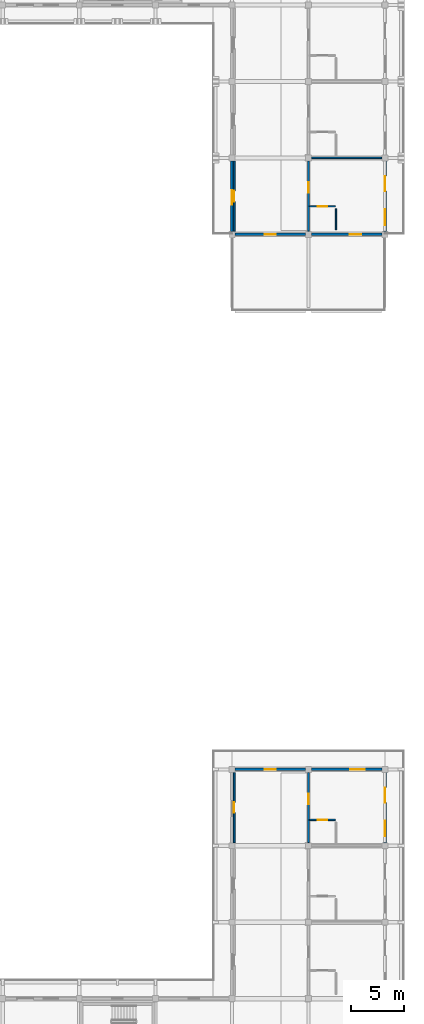
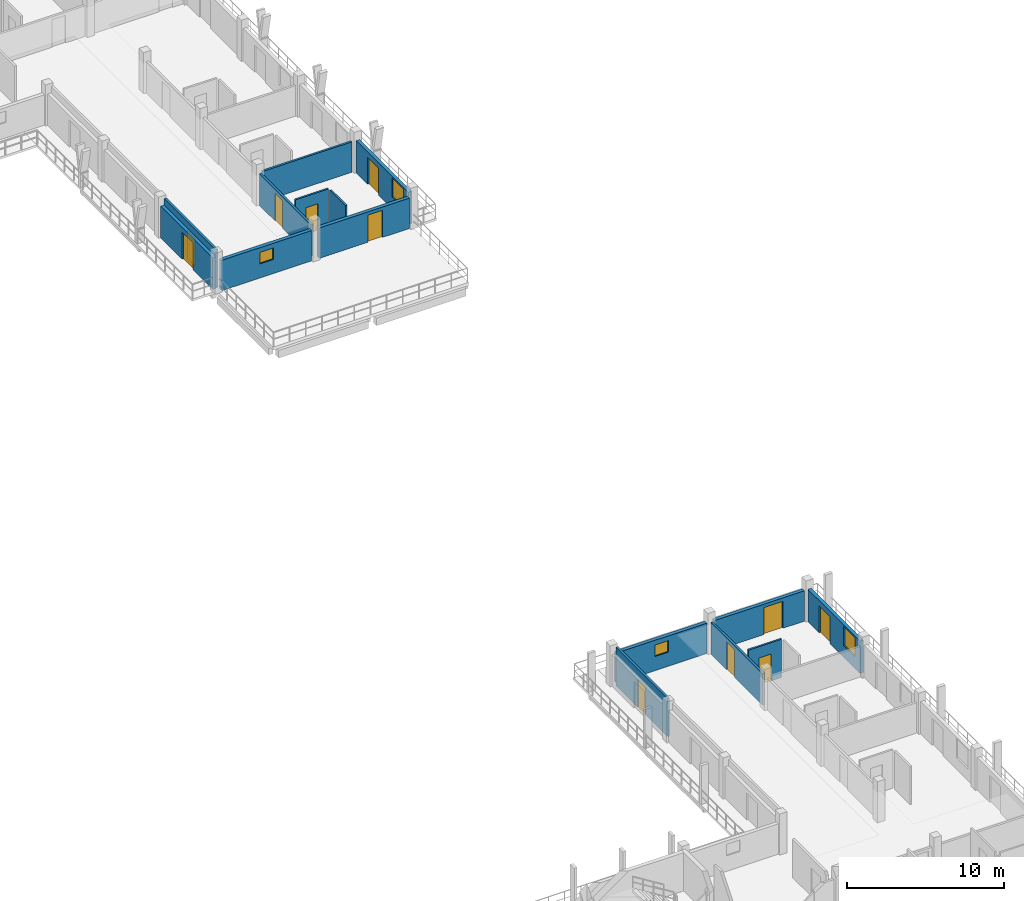
# One storey, part 48 of 73: 15 walls, 11 doors, 4 windows, 15 openings.
"""IFC4 building model written with IfcOpenShell, lengths in metres."""

from ifc_helpers import new_model, si_unit, direction, frame, frame_2d, origin, place, context, subcontext, project, spatial, rectangle, extrude, material, layer, layer_set, type_object, element, fill, save


model = new_model("IFC4")

# Units and contexts
model_context = context("Model", 3, precision=1e-05, world=origin(), true_north=direction((0.0, 1.0)))
body_context = subcontext(model_context, "Body", "Model", "MODEL_VIEW")
ifc_project = project(units=[si_unit("LENGTHUNIT", "METRE"), si_unit("AREAUNIT", "SQUARE_METRE"), si_unit("VOLUMEUNIT", "CUBIC_METRE"), si_unit("PLANEANGLEUNIT", "RADIAN"), si_unit("MASSUNIT", "GRAM", prefix="KILO")], contexts=[model_context])

# Site, building, storey
site_placement = place(None, origin())
site = spatial("IfcSite", under=ifc_project, at=site_placement, CompositionType="ELEMENT")
building_placement = place(site_placement, origin())
building = spatial("IfcBuilding", under=site, at=building_placement, Name="Suanplinth Sawtooth Commons", CompositionType="ELEMENT")
storey_placement = place(building_placement, frame((0.0, 0.0, 21.89990234375)))
storey = spatial("IfcBuildingStorey", under=building, at=storey_placement, Name="L06", CompositionType="ELEMENT", Elevation=21.89990234375)

# Wall, opening, window
ifc_material_1 = material(Name="Precast concrete C40/50", Category="concrete")
ifc_layer_1 = layer(ifc_material_1, 0.260009765625, Name="Insulated precast courtyard facade wall 260mm")
ifc_layer_set_1 = layer_set([ifc_layer_1], Name="Precast concrete C40/50")
wall_type_1 = type_object("IfcWallType", Name="W-EX02", PredefinedType="ELEMENTEDWALL", material=ifc_layer_set_1)
wall_1_placement = place(storey_placement, frame((173.074951171875, 86.39990234375, 0.0), z_axis=(0.0, 0.0, 1.0), x_axis=(1.0, 0.0, 0.0)))
wall_1 = element("IfcWall", 1, at=wall_1_placement, inside=storey, type_object=wall_type_1, Name="Facade Wall W-L06-B-S-24-12", PredefinedType="ELEMENTEDWALL", context=body_context, shape_type="SweptSolid", body=[
    extrude(rectangle(XDim=6.650146484375, YDim=0.260009765625, at=frame_2d((3.3251953125, 0.0))), origin(), (0.0, 0.0, 1.0), 2.364990234375),
])
opening_1_placement = place(wall_1_placement, frame((2.824951171875, 0.0, 1.10009765625)))
opening_1 = element("IfcOpeningElement", 2, at=opening_1_placement, cuts=wall_1, Name="Opening W0595", PredefinedType="OPENING", context=body_context, shape_type="SweptSolid", body=[
    extrude(rectangle(XDim=1.0, YDim=0.89990234375, at=frame_2d((0.5, 0.449951171875))), frame((0.0, 0.14501953125, 0.0), z_axis=(0.0, -1.0, 0.0), x_axis=(1.0, 0.0, 0.0)), (0.0, 0.0, 1.0), 0.289794921875),
])
ifc_material_2 = material(Name="Thermally broken aluminium and low-E double glazing", Category="aluminium")
window_type_1 = type_object("IfcWindowType", Name="WN-12", PartitioningType="SINGLE_PANEL", PredefinedType="WINDOW", material=ifc_material_2)
window_1_placement = place(opening_1_placement, origin())
window_1 = element("IfcWindow", 3, at=window_1_placement, inside=storey, type_object=window_type_1, Name="End Window L06-B-S-24-12", OverallHeight=0.89990234375, OverallWidth=1.0, PartitioningType="SINGLE_PANEL", PredefinedType="WINDOW", context=body_context, shape_type="SweptSolid", body=[
    extrude(rectangle(XDim=1.0, YDim=0.89990234375, at=frame_2d((0.5, 0.449951171875))), frame((0.0, 0.030029296875, 0.0), z_axis=(0.0, -1.0, 0.0), x_axis=(1.0, 0.0, 0.0)), (0.0, 0.0, 1.0), 0.06005859375),
])
fill(opening_1, window_1)

# Wall, opening, door
wall_2_placement = place(storey_placement, frame((172.800048828125, 86.675048828125, 0.0), z_axis=(0.0, 0.0, 1.0), x_axis=(0.0, 1.0, 0.0)))
wall_2 = element("IfcWall", 4, at=wall_2_placement, inside=storey, type_object=wall_type_1, Name="Facade Wall W-L06-B-W-24-12", PredefinedType="ELEMENTEDWALL", context=body_context, shape_type="SweptSolid", body=[
    extrude(rectangle(XDim=6.64990234375, YDim=0.260009765625, at=frame_2d((3.324951171875, 0.0))), origin(), (0.0, 0.0, 1.0), 2.465087890625),
])
opening_2_placement = place(wall_2_placement, frame((2.5, 0.0, 0.0)))
opening_2 = element("IfcOpeningElement", 5, at=opening_2_placement, cuts=wall_2, Name="Opening ED0506", PredefinedType="OPENING", context=body_context, shape_type="SweptSolid", body=[
    extrude(rectangle(XDim=1.39990234375, YDim=2.10009765625, at=frame_2d((0.699951171875, 1.050048828125))), frame((0.0, 0.14501953125, 0.0), z_axis=(0.0, -1.0, 0.0), x_axis=(1.0, 0.0, 0.0)), (0.0, 0.0, 1.0), 0.289794921875),
])
ifc_material_3 = material(Name="Anodized aluminium and low-E glass", Category="aluminium")
door_type_1 = type_object("IfcDoorType", Name="SD-07", OperationType="SLIDING_TO_RIGHT", PredefinedType="DOOR", material=ifc_material_3)
door_1_placement = place(opening_2_placement, frame((1.39990234375, 0.0, 0.0), z_axis=(0.0, 0.0, 1.0), x_axis=(-1.0, 0.0, 0.0)))
door_1 = element("IfcDoor", 6, at=door_1_placement, inside=storey, type_object=door_type_1, Name="Courtyard Veranda Studio Balcony Door L06-B-12", OperationType="SLIDING_TO_RIGHT", OverallHeight=2.10009765625, OverallWidth=1.39990234375, PredefinedType="DOOR", context=body_context, shape_type="SweptSolid", body=[
    extrude(rectangle(XDim=1.39990234375, YDim=2.10009765625, at=frame_2d((0.699951171875, 1.050048828125))), frame((0.0, 0.02490234375, 0.0), z_axis=(0.0, -1.0, 0.0), x_axis=(1.0, 0.0, 0.0)), (0.0, 0.0, 1.0), 0.050048828125),
])
fill(opening_2, door_1)

wall_3_placement = place(storey_placement, frame((180.27490234375, 86.39990234375, 0.0), z_axis=(0.0, 0.0, 1.0), x_axis=(1.0, 0.0, 0.0)))
wall_3 = element("IfcWall", 7, at=wall_3_placement, inside=storey, type_object=wall_type_1, Name="Facade Wall W-L06-B-S-25-12", PredefinedType="ELEMENTEDWALL", context=body_context, shape_type="SweptSolid", body=[
    extrude(rectangle(XDim=6.650146484375, YDim=0.260009765625, at=frame_2d((3.3251953125, 0.0))), origin(), (0.0, 0.0, 1.0), 2.364990234375),
])
opening_3_placement = place(wall_3_placement, frame((3.60009765625, 0.0, 0.0)))
opening_3 = element("IfcOpeningElement", 8, at=opening_3_placement, cuts=wall_3, Name="Opening ED0510", PredefinedType="OPENING", context=body_context, shape_type="SweptSolid", body=[
    extrude(rectangle(XDim=1.080078125, YDim=2.1201171875, at=frame_2d((0.5400390625, 1.06005859375))), frame((0.0, 0.14501953125, 0.0), z_axis=(0.0, -1.0, 0.0), x_axis=(1.0, 0.0, 0.0)), (0.0, 0.0, 1.0), 0.289794921875),
])
door_type_2 = type_object("IfcDoorType", Name="ED-10", OperationType="NOTDEFINED", PredefinedType="DOOR", material=ifc_material_3)
door_2_placement = place(opening_3_placement, frame((1.080078125, 0.0, 0.0), z_axis=(0.0, 0.0, 1.0), x_axis=(-1.0, 0.0, 0.0)))
door_2 = element("IfcDoor", 9, at=door_2_placement, inside=storey, type_object=door_type_2, Name="L06 Block B Stepped Sky-Terrace Door 2", OperationType="SINGLE_SWING_RIGHT", OverallHeight=2.1201171875, OverallWidth=1.080078125, PredefinedType="DOOR", context=body_context, shape_type="SweptSolid", body=[
    extrude(rectangle(XDim=1.080078125, YDim=2.1201171875, at=frame_2d((0.5400390625, 1.06005859375))), frame((0.0, 0.02490234375, 0.0), z_axis=(0.0, -1.0, 0.0), x_axis=(1.0, 0.0, 0.0)), (0.0, 0.0, 1.0), 0.050048828125),
])
fill(opening_3, door_2)

# Wall, openings, door, window
wall_4_placement = place(storey_placement, frame((187.199951171875, 86.675048828125, 0.0), z_axis=(0.0, 0.0, 1.0), x_axis=(0.0, 1.0, 0.0)))
wall_4 = element("IfcWall", 10, at=wall_4_placement, inside=storey, type_object=wall_type_1, Name="Facade Wall W-L06-B-E-25-12", PredefinedType="ELEMENTEDWALL", context=body_context, shape_type="SweptSolid", body=[
    extrude(rectangle(XDim=6.64990234375, YDim=0.260009765625, at=frame_2d((3.324951171875, 0.0))), origin(), (0.0, 0.0, 1.0), 2.51513671875),
])
opening_4_placement = place(wall_4_placement, frame((3.800048828125, 0.0, 0.0)))
opening_4 = element("IfcOpeningElement", 11, at=opening_4_placement, cuts=wall_4, Name="Opening ED0511", PredefinedType="OPENING", context=body_context, shape_type="SweptSolid", body=[
    extrude(rectangle(XDim=1.39990234375, YDim=2.10009765625, at=frame_2d((0.699951171875, 1.050048828125))), frame((0.0, 0.14501953125, 0.0), z_axis=(0.0, -1.0, 0.0), x_axis=(1.0, 0.0, 0.0)), (0.0, 0.0, 1.0), 0.289794921875),
])
opening_5_placement = place(wall_4_placement, frame((0.60009765625, 0.0, 0.905029296875)))
opening_5 = element("IfcOpeningElement", 12, at=opening_5_placement, cuts=wall_4, Name="Opening W0597", PredefinedType="OPENING", context=body_context, shape_type="SweptSolid", body=[
    extrude(rectangle(XDim=1.5, YDim=1.5, at=frame_2d((0.75, 0.75))), frame((0.0, 0.14501953125, 0.0), z_axis=(0.0, -1.0, 0.0), x_axis=(1.0, 0.0, 0.0)), (0.0, 0.0, 1.0), 0.289794921875),
])
door_3_placement = place(opening_4_placement, frame((1.39990234375, 0.0, 0.0), z_axis=(0.0, 0.0, 1.0), x_axis=(-1.0, 0.0, 0.0)))
door_3 = element("IfcDoor", 13, at=door_3_placement, inside=storey, type_object=door_type_1, Name="Wing Balcony Sliding Door L06-B-12", OperationType="SLIDING_TO_RIGHT", OverallHeight=2.10009765625, OverallWidth=1.39990234375, PredefinedType="DOOR", context=body_context, shape_type="SweptSolid", body=[
    extrude(rectangle(XDim=1.39990234375, YDim=2.10009765625, at=frame_2d((0.699951171875, 1.050048828125))), frame((0.0, 0.02490234375, 0.0), z_axis=(0.0, -1.0, 0.0), x_axis=(1.0, 0.0, 0.0)), (0.0, 0.0, 1.0), 0.050048828125),
])
fill(opening_4, door_3)
window_type_2 = type_object("IfcWindowType", Name="WN-02", PartitioningType="DOUBLE_PANEL_VERTICAL", PredefinedType="WINDOW", material=ifc_material_2)
window_2_placement = place(opening_5_placement, origin())
window_2 = element("IfcWindow", 14, at=window_2_placement, inside=storey, type_object=window_type_2, Name="Wing Window L06-B-12", OverallHeight=1.5, OverallWidth=1.5, PartitioningType="DOUBLE_PANEL_VERTICAL", PredefinedType="WINDOW", context=body_context, shape_type="SweptSolid", body=[
    extrude(rectangle(XDim=1.5, YDim=1.5, at=frame_2d((0.75, 0.75))), frame((0.0, 0.030029296875, 0.0), z_axis=(0.0, -1.0, 0.0), x_axis=(1.0, 0.0, 0.0)), (0.0, 0.0, 1.0), 0.06005859375),
])
fill(opening_5, window_2)

# Wall, opening, window
wall_5_placement = place(storey_placement, frame((173.074951171875, 36.0, 0.0), z_axis=(0.0, 0.0, 1.0), x_axis=(1.0, 0.0, 0.0)))
wall_5 = element("IfcWall", 15, at=wall_5_placement, inside=storey, type_object=wall_type_1, Name="Facade Wall W-L06-C-N-24-4", PredefinedType="ELEMENTEDWALL", context=body_context, shape_type="SweptSolid", body=[
    extrude(rectangle(XDim=6.650146484375, YDim=0.260009765625, at=frame_2d((3.3251953125, 0.0))), origin(), (0.0, 0.0, 1.0), 2.364990234375),
])
opening_6_placement = place(wall_5_placement, frame((2.824951171875, 0.0, 1.10009765625)))
opening_6 = element("IfcOpeningElement", 16, at=opening_6_placement, cuts=wall_5, Name="Opening W0615", PredefinedType="OPENING", context=body_context, shape_type="SweptSolid", body=[
    extrude(rectangle(XDim=1.0, YDim=0.89990234375, at=frame_2d((0.5, 0.449951171875))), frame((0.0, 0.14501953125, 0.0), z_axis=(0.0, -1.0, 0.0), x_axis=(1.0, 0.0, 0.0)), (0.0, 0.0, 1.0), 0.289794921875),
])
window_3_placement = place(opening_6_placement, origin())
window_3 = element("IfcWindow", 17, at=window_3_placement, inside=storey, type_object=window_type_1, Name="End Window L06-C-N-24-4", OverallHeight=0.89990234375, OverallWidth=1.0, PartitioningType="SINGLE_PANEL", PredefinedType="WINDOW", context=body_context, shape_type="SweptSolid", body=[
    extrude(rectangle(XDim=1.0, YDim=0.89990234375, at=frame_2d((0.5, 0.449951171875))), frame((0.0, 0.030029296875, 0.0), z_axis=(0.0, -1.0, 0.0), x_axis=(1.0, 0.0, 0.0)), (0.0, 0.0, 1.0), 0.06005859375),
])
fill(opening_6, window_3)

# Wall, opening, door
wall_6_placement = place(storey_placement, frame((180.27490234375, 36.0, 0.0), z_axis=(0.0, 0.0, 1.0), x_axis=(1.0, 0.0, 0.0)))
wall_6 = element("IfcWall", 18, at=wall_6_placement, inside=storey, type_object=wall_type_1, Name="Facade Wall W-L06-C-N-25-4", PredefinedType="ELEMENTEDWALL", context=body_context, shape_type="SweptSolid", body=[
    extrude(rectangle(XDim=6.650146484375, YDim=0.260009765625, at=frame_2d((3.3251953125, 0.0))), origin(), (0.0, 0.0, 1.0), 2.364990234375),
])
opening_7_placement = place(wall_6_placement, frame((3.64990234375, 0.0, 0.0)))
opening_7 = element("IfcOpeningElement", 19, at=opening_7_placement, cuts=wall_6, Name="Opening ED0533", PredefinedType="OPENING", context=body_context, shape_type="SweptSolid", body=[
    extrude(rectangle(XDim=1.39990234375, YDim=2.10009765625, at=frame_2d((0.699951171875, 1.050048828125))), frame((0.0, 0.14501953125, 0.0), z_axis=(0.0, -1.0, 0.0), x_axis=(1.0, 0.0, 0.0)), (0.0, 0.0, 1.0), 0.289794921875),
])
door_4_placement = place(opening_7_placement, frame((1.39990234375, 0.0, 0.0), z_axis=(0.0, 0.0, 1.0), x_axis=(-1.0, 0.0, 0.0)))
door_4 = element("IfcDoor", 20, at=door_4_placement, inside=storey, type_object=door_type_1, Name="End Balcony Sliding Door L06-C-N-25-4", OperationType="SLIDING_TO_RIGHT", OverallHeight=2.10009765625, OverallWidth=1.39990234375, PredefinedType="DOOR", context=body_context, shape_type="SweptSolid", body=[
    extrude(rectangle(XDim=1.39990234375, YDim=2.10009765625, at=frame_2d((0.699951171875, 1.050048828125))), frame((0.0, 0.02490234375, 0.0), z_axis=(0.0, -1.0, 0.0), x_axis=(1.0, 0.0, 0.0)), (0.0, 0.0, 1.0), 0.050048828125),
])
fill(opening_7, door_4)

# Wall, openings, door, window
wall_7_placement = place(storey_placement, frame((187.199951171875, 29.074951171875, 0.0), z_axis=(0.0, 0.0, 1.0), x_axis=(0.0, 1.0, 0.0)))
wall_7 = element("IfcWall", 21, at=wall_7_placement, inside=storey, type_object=wall_type_1, Name="Facade Wall W-L06-C-E-25-4", PredefinedType="ELEMENTEDWALL", context=body_context, shape_type="SweptSolid", body=[
    extrude(rectangle(XDim=6.650146484375, YDim=0.260009765625, at=frame_2d((3.3251953125, 0.0))), origin(), (0.0, 0.0, 1.0), 2.51513671875),
])
opening_8_placement = place(wall_7_placement, frame((3.800048828125, 0.0, 0.0)))
opening_8 = element("IfcOpeningElement", 22, at=opening_8_placement, cuts=wall_7, Name="Opening ED0534", PredefinedType="OPENING", context=body_context, shape_type="SweptSolid", body=[
    extrude(rectangle(XDim=1.39990234375, YDim=2.10009765625, at=frame_2d((0.699951171875, 1.050048828125))), frame((0.0, 0.14501953125, 0.0), z_axis=(0.0, -1.0, 0.0), x_axis=(1.0, 0.0, 0.0)), (0.0, 0.0, 1.0), 0.289794921875),
])
opening_9_placement = place(wall_7_placement, frame((0.60009765625, 0.0, 0.905029296875)))
opening_9 = element("IfcOpeningElement", 23, at=opening_9_placement, cuts=wall_7, Name="Opening W0620", PredefinedType="OPENING", context=body_context, shape_type="SweptSolid", body=[
    extrude(rectangle(XDim=1.5, YDim=1.5, at=frame_2d((0.75, 0.75))), frame((0.0, 0.14501953125, 0.0), z_axis=(0.0, -1.0, 0.0), x_axis=(1.0, 0.0, 0.0)), (0.0, 0.0, 1.0), 0.289794921875),
])
door_5_placement = place(opening_8_placement, frame((1.39990234375, 0.0, 0.0), z_axis=(0.0, 0.0, 1.0), x_axis=(-1.0, 0.0, 0.0)))
door_5 = element("IfcDoor", 24, at=door_5_placement, inside=storey, type_object=door_type_1, Name="Wing Balcony Sliding Door L06-C-4", OperationType="SLIDING_TO_RIGHT", OverallHeight=2.10009765625, OverallWidth=1.39990234375, PredefinedType="DOOR", context=body_context, shape_type="SweptSolid", body=[
    extrude(rectangle(XDim=1.39990234375, YDim=2.10009765625, at=frame_2d((0.699951171875, 1.050048828125))), frame((0.0, 0.02490234375, 0.0), z_axis=(0.0, -1.0, 0.0), x_axis=(1.0, 0.0, 0.0)), (0.0, 0.0, 1.0), 0.050048828125),
])
fill(opening_8, door_5)
window_4_placement = place(opening_9_placement, origin())
window_4 = element("IfcWindow", 25, at=window_4_placement, inside=storey, type_object=window_type_2, Name="Wing Window L06-C-4", OverallHeight=1.5, OverallWidth=1.5, PartitioningType="DOUBLE_PANEL_VERTICAL", PredefinedType="WINDOW", context=body_context, shape_type="SweptSolid", body=[
    extrude(rectangle(XDim=1.5, YDim=1.5, at=frame_2d((0.75, 0.75))), frame((0.0, 0.030029296875, 0.0), z_axis=(0.0, -1.0, 0.0), x_axis=(1.0, 0.0, 0.0)), (0.0, 0.0, 1.0), 0.06005859375),
])
fill(opening_9, window_4)

# Wall, opening, door
ifc_layer_2 = layer(ifc_material_1, 0.159912109375, Name="Fire-rated corridor and lobby wall 160mm")
ifc_layer_set_2 = layer_set([ifc_layer_2], Name="Precast concrete C40/50")
wall_type_2 = type_object("IfcWallType", Name="W-FW01", PredefinedType="PARTITIONING", material=ifc_layer_set_2)
wall_8_placement = place(storey_placement, frame((180.0, 86.705078125, 0.0), z_axis=(0.0, 0.0, 1.0), x_axis=(0.0, 1.0, 0.0)))
wall_8 = element("IfcWall", 26, at=wall_8_placement, inside=storey, type_object=wall_type_2, Name="W-B-L06-L01-COR", PredefinedType="PARTITIONING", context=body_context, shape_type="SweptSolid", body=[
    extrude(rectangle(XDim=6.58984375, YDim=0.159912109375, at=frame_2d((3.294921875, 0.0))), origin(), (0.0, 0.0, 1.0), 2.465087890625),
])
opening_10_placement = place(wall_8_placement, frame((3.594970703125, 0.0, 0.0)))
opening_10 = element("IfcOpeningElement", 27, at=opening_10_placement, cuts=wall_8, Name="Opening FD1429", PredefinedType="OPENING", context=body_context, shape_type="SweptSolid", body=[
    extrude(rectangle(XDim=1.0, YDim=2.14990234375, at=frame_2d((0.5, 1.074951171875))), frame((0.0, 0.0947265625, 0.0), z_axis=(0.0, -1.0, 0.0), x_axis=(1.0, 0.0, 0.0)), (0.0, 0.0, 1.0), 0.189697265625),
])
ifc_material_4 = material(Name="Teak hardwood fire-rated door assembly", Category="wood")
door_type_3 = type_object("IfcDoorType", Name="FD-03", OperationType="NOTDEFINED", PredefinedType="DOOR", material=ifc_material_4)
door_6_placement = place(opening_10_placement, frame((1.0, 0.0, 0.0), z_axis=(0.0, 0.0, 1.0), x_axis=(-1.0, 0.0, 0.0)))
door_6 = element("IfcDoor", 28, at=door_6_placement, inside=storey, type_object=door_type_3, Name="Wing Unit Entrance Door FD1429", OperationType="SINGLE_SWING_LEFT", OverallHeight=2.14990234375, OverallWidth=1.0, PredefinedType="DOOR", context=body_context, shape_type="SweptSolid", body=[
    extrude(rectangle(XDim=1.0, YDim=2.14990234375, at=frame_2d((0.5, 1.074951171875))), frame((0.0, 0.02490234375, 0.0), z_axis=(0.0, -1.0, 0.0), x_axis=(1.0, 0.0, 0.0)), (0.0, 0.0, 1.0), 0.050048828125),
])
fill(opening_10, door_6)

wall_9_placement = place(storey_placement, frame((173.0, 86.705078125, 0.0), z_axis=(0.0, 0.0, 1.0), x_axis=(0.0, 1.0, 0.0)))
wall_9 = element("IfcWall", 29, at=wall_9_placement, inside=storey, type_object=wall_type_2, Name="W-B-L06-LEGCOURTROOM-30-COR", PredefinedType="PARTITIONING", context=body_context, shape_type="SweptSolid", body=[
    extrude(rectangle(XDim=6.58984375, YDim=0.159912109375, at=frame_2d((3.294921875, 0.0))), origin(), (0.0, 0.0, 1.0), 2.97998046875),
])
opening_11_placement = place(wall_9_placement, frame((2.784912109375, 0.0, 0.0)))
opening_11 = element("IfcOpeningElement", 30, at=opening_11_placement, cuts=wall_9, Name="Opening D1431", PredefinedType="OPENING", context=body_context, shape_type="SweptSolid", body=[
    extrude(rectangle(XDim=1.02001953125, YDim=2.179931640625, at=frame_2d((0.510009765625, 1.08984375))), frame((0.0, 0.0947265625, 0.0), z_axis=(0.0, -1.0, 0.0), x_axis=(1.0, 0.0, 0.0)), (0.0, 0.0, 1.0), 0.189697265625),
])
ifc_material_5 = material(Name="Teak hardwood", Category="wood")
door_type_4 = type_object("IfcDoorType", Name="D-16", OperationType="NOTDEFINED", PredefinedType="DOOR", material=ifc_material_5)
door_7_placement = place(opening_11_placement, origin())
door_7 = element("IfcDoor", 31, at=door_7_placement, inside=storey, type_object=door_type_4, Name="Veranda Studio Door D1431", OperationType="SINGLE_SWING_LEFT", OverallHeight=2.179931640625, OverallWidth=1.02001953125, PredefinedType="DOOR", context=body_context, shape_type="SweptSolid", body=[
    extrude(rectangle(XDim=1.02001953125, YDim=2.179931640625, at=frame_2d((0.510009765625, 1.08984375))), frame((0.0, 0.02490234375, 0.0), z_axis=(0.0, -1.0, 0.0), x_axis=(1.0, 0.0, 0.0)), (0.0, 0.0, 1.0), 0.050048828125),
])
fill(opening_11, door_7)

wall_10_placement = place(storey_placement, frame((180.0, 29.10498046875, 0.0), z_axis=(0.0, 0.0, 1.0), x_axis=(0.0, 1.0, 0.0)))
wall_10 = element("IfcWall", 32, at=wall_10_placement, inside=storey, type_object=wall_type_2, Name="W-C-L06-L03-COR", PredefinedType="PARTITIONING", context=body_context, shape_type="SweptSolid", body=[
    extrude(rectangle(XDim=6.590087890625, YDim=0.159912109375, at=frame_2d((3.294921875, 0.0))), origin(), (0.0, 0.0, 1.0), 2.465087890625),
])
opening_12_placement = place(wall_10_placement, frame((3.594970703125, 0.0, 0.0)))
opening_12 = element("IfcOpeningElement", 33, at=opening_12_placement, cuts=wall_10, Name="Opening FD1467", PredefinedType="OPENING", context=body_context, shape_type="SweptSolid", body=[
    extrude(rectangle(XDim=1.0, YDim=2.14990234375, at=frame_2d((0.5, 1.074951171875))), frame((0.0, 0.0947265625, 0.0), z_axis=(0.0, -1.0, 0.0), x_axis=(1.0, 0.0, 0.0)), (0.0, 0.0, 1.0), 0.189697265625),
])
door_8_placement = place(opening_12_placement, frame((1.0, 0.0, 0.0), z_axis=(0.0, 0.0, 1.0), x_axis=(-1.0, 0.0, 0.0)))
door_8 = element("IfcDoor", 34, at=door_8_placement, inside=storey, type_object=door_type_3, Name="Wing Unit Entrance Door FD1467", OperationType="SINGLE_SWING_LEFT", OverallHeight=2.14990234375, OverallWidth=1.0, PredefinedType="DOOR", context=body_context, shape_type="SweptSolid", body=[
    extrude(rectangle(XDim=1.0, YDim=2.14990234375, at=frame_2d((0.5, 1.074951171875))), frame((0.0, 0.02490234375, 0.0), z_axis=(0.0, -1.0, 0.0), x_axis=(1.0, 0.0, 0.0)), (0.0, 0.0, 1.0), 0.050048828125),
])
fill(opening_12, door_8)

wall_11_placement = place(storey_placement, frame((173.0, 29.10498046875, 0.0), z_axis=(0.0, 0.0, 1.0), x_axis=(0.0, 1.0, 0.0)))
wall_11 = element("IfcWall", 35, at=wall_11_placement, inside=storey, type_object=wall_type_2, Name="W-C-L06-LEGCOURTROOM-47-COR", PredefinedType="PARTITIONING", context=body_context, shape_type="SweptSolid", body=[
    extrude(rectangle(XDim=6.590087890625, YDim=0.159912109375, at=frame_2d((3.294921875, 0.0))), origin(), (0.0, 0.0, 1.0), 2.97998046875),
])
opening_13_placement = place(wall_11_placement, frame((2.784912109375, 0.0, 0.0)))
opening_13 = element("IfcOpeningElement", 36, at=opening_13_placement, cuts=wall_11, Name="Opening D1469", PredefinedType="OPENING", context=body_context, shape_type="SweptSolid", body=[
    extrude(rectangle(XDim=1.02001953125, YDim=2.179931640625, at=frame_2d((0.510009765625, 1.08984375))), frame((0.0, 0.0947265625, 0.0), z_axis=(0.0, -1.0, 0.0), x_axis=(1.0, 0.0, 0.0)), (0.0, 0.0, 1.0), 0.189697265625),
])
door_9_placement = place(opening_13_placement, origin())
door_9 = element("IfcDoor", 37, at=door_9_placement, inside=storey, type_object=door_type_4, Name="Veranda Studio Door D1469", OperationType="SINGLE_SWING_LEFT", OverallHeight=2.179931640625, OverallWidth=1.02001953125, PredefinedType="DOOR", context=body_context, shape_type="SweptSolid", body=[
    extrude(rectangle(XDim=1.02001953125, YDim=2.179931640625, at=frame_2d((0.510009765625, 1.08984375))), frame((0.0, 0.02490234375, 0.0), z_axis=(0.0, -1.0, 0.0), x_axis=(1.0, 0.0, 0.0)), (0.0, 0.0, 1.0), 0.050048828125),
])
fill(opening_13, door_9)

# Wall
ifc_layer_3 = layer(ifc_material_1, 0.14990234375, Name="Acoustic precast party demising wall 150mm")
ifc_layer_set_3 = layer_set([ifc_layer_3], Name="Precast concrete C40/50")
wall_type_3 = type_object("IfcWallType", Name="W-FW02", PredefinedType="PARTITIONING", material=ifc_layer_set_3)
wall_12_placement = place(storey_placement, frame((180.304931640625, 93.60009765625, 0.0), z_axis=(0.0, 0.0, 1.0), x_axis=(1.0, 0.0, 0.0)))
element("IfcWall", 38, at=wall_12_placement, inside=storey, type_object=wall_type_3, Name="W-B-L06-L01-PTY", PredefinedType="PARTITIONING", context=body_context, shape_type="SweptSolid", body=[
    extrude(rectangle(XDim=6.590087890625, YDim=0.14990234375, at=frame_2d((3.294921875, 0.0))), origin(), (0.0, 0.0, 1.0), 2.364990234375),
])

# Wall, opening, door
ifc_material_6 = material(Name="Gypsum plasterboard on steel stud", Category="steel")
ifc_layer_4 = layer(ifc_material_6, 0.1298828125, Name="Moisture-resistant bathroom partition 130mm")
ifc_layer_set_4 = layer_set([ifc_layer_4], Name="Gypsum plasterboard on steel stud")
wall_type_4 = type_object("IfcWallType", Name="W-PT02", PredefinedType="PARTITIONING", material=ifc_layer_set_4)
wall_13_placement = place(storey_placement, frame((180.080078125, 89.044921875, 0.0), z_axis=(0.0, 0.0, 1.0), x_axis=(1.0, 0.0, 0.0)))
wall_13 = element("IfcWall", 39, at=wall_13_placement, inside=storey, type_object=wall_type_4, Name="W-B-L06-L01-BTH1", PredefinedType="PARTITIONING", context=body_context, shape_type="SweptSolid", body=[
    extrude(rectangle(XDim=2.449951171875, YDim=0.1298828125, at=frame_2d((1.22509765625, 0.0))), origin(), (0.0, 0.0, 1.0), 2.97998046875),
])
opening_14_placement = place(wall_13_placement, frame((0.77490234375, 0.0, 0.0)))
opening_14 = element("IfcOpeningElement", 40, at=opening_14_placement, cuts=wall_13, Name="Opening D1430", PredefinedType="OPENING", context=body_context, shape_type="SweptSolid", body=[
    extrude(rectangle(XDim=0.89990234375, YDim=2.10009765625, at=frame_2d((0.449951171875, 1.050048828125))), frame((0.0, 0.079833984375, 0.0), z_axis=(0.0, -1.0, 0.0), x_axis=(1.0, 0.0, 0.0)), (0.0, 0.0, 1.0), 0.15966796875),
])
door_type_5 = type_object("IfcDoorType", Name="D-01", OperationType="NOTDEFINED", PredefinedType="DOOR", material=ifc_material_5)
door_10_placement = place(opening_14_placement, frame((0.89990234375, 0.0, 0.0), z_axis=(0.0, 0.0, 1.0), x_axis=(-1.0, 0.0, 0.0)))
door_10 = element("IfcDoor", 41, at=door_10_placement, inside=storey, type_object=door_type_5, Name="Bathroom Door D1430", OperationType="SINGLE_SWING_RIGHT", OverallHeight=2.10009765625, OverallWidth=0.89990234375, PredefinedType="DOOR", context=body_context, shape_type="SweptSolid", body=[
    extrude(rectangle(XDim=0.89990234375, YDim=2.10009765625, at=frame_2d((0.449951171875, 1.050048828125))), frame((0.0, 0.02490234375, 0.0), z_axis=(0.0, -1.0, 0.0), x_axis=(1.0, 0.0, 0.0)), (0.0, 0.0, 1.0), 0.050048828125),
])
fill(opening_14, door_10)

# Wall
wall_14_placement = place(storey_placement, frame((182.594970703125, 86.830078125, 0.0), z_axis=(0.0, 0.0, 1.0), x_axis=(0.0, 1.0, 0.0)))
element("IfcWall", 42, at=wall_14_placement, inside=storey, type_object=wall_type_4, Name="W-B-L06-L01-BTH2", PredefinedType="PARTITIONING", context=body_context, shape_type="SweptSolid", body=[
    extrude(rectangle(XDim=2.0, YDim=0.1298828125, at=frame_2d((1.0, 0.0))), origin(), (0.0, 0.0, 1.0), 2.97998046875),
])

# Wall, opening, door
wall_15_placement = place(storey_placement, frame((180.080078125, 31.2451171875, 0.0), z_axis=(0.0, 0.0, 1.0), x_axis=(1.0, 0.0, 0.0)))
wall_15 = element("IfcWall", 43, at=wall_15_placement, inside=storey, type_object=wall_type_4, Name="W-C-L06-L03-BTH1", PredefinedType="PARTITIONING", context=body_context, shape_type="SweptSolid", body=[
    extrude(rectangle(XDim=2.449951171875, YDim=0.1298828125, at=frame_2d((1.22509765625, 0.0))), origin(), (0.0, 0.0, 1.0), 2.97998046875),
])
opening_15_placement = place(wall_15_placement, frame((0.77490234375, 0.0, 0.0)))
opening_15 = element("IfcOpeningElement", 44, at=opening_15_placement, cuts=wall_15, Name="Opening D1468", PredefinedType="OPENING", context=body_context, shape_type="SweptSolid", body=[
    extrude(rectangle(XDim=0.89990234375, YDim=2.10009765625, at=frame_2d((0.449951171875, 1.050048828125))), frame((0.0, 0.079833984375, 0.0), z_axis=(0.0, -1.0, 0.0), x_axis=(1.0, 0.0, 0.0)), (0.0, 0.0, 1.0), 0.15966796875),
])
door_11_placement = place(opening_15_placement, frame((0.89990234375, 0.0, 0.0), z_axis=(0.0, 0.0, 1.0), x_axis=(-1.0, 0.0, 0.0)))
door_11 = element("IfcDoor", 45, at=door_11_placement, inside=storey, type_object=door_type_5, Name="Bathroom Door D1468", OperationType="SINGLE_SWING_RIGHT", OverallHeight=2.10009765625, OverallWidth=0.89990234375, PredefinedType="DOOR", context=body_context, shape_type="SweptSolid", body=[
    extrude(rectangle(XDim=0.89990234375, YDim=2.10009765625, at=frame_2d((0.449951171875, 1.050048828125))), frame((0.0, 0.02490234375, 0.0), z_axis=(0.0, -1.0, 0.0), x_axis=(1.0, 0.0, 0.0)), (0.0, 0.0, 1.0), 0.050048828125),
])
fill(opening_15, door_11)

save(model, "model.ifc")
